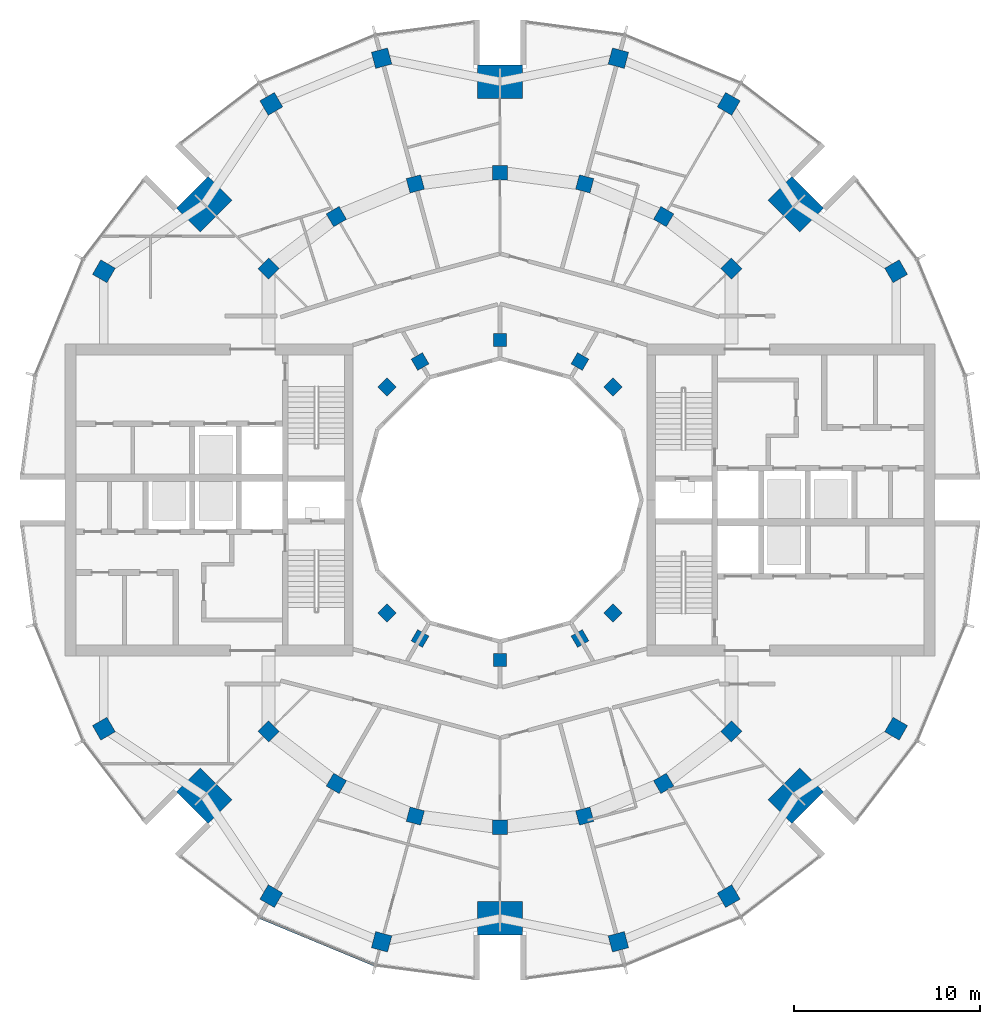
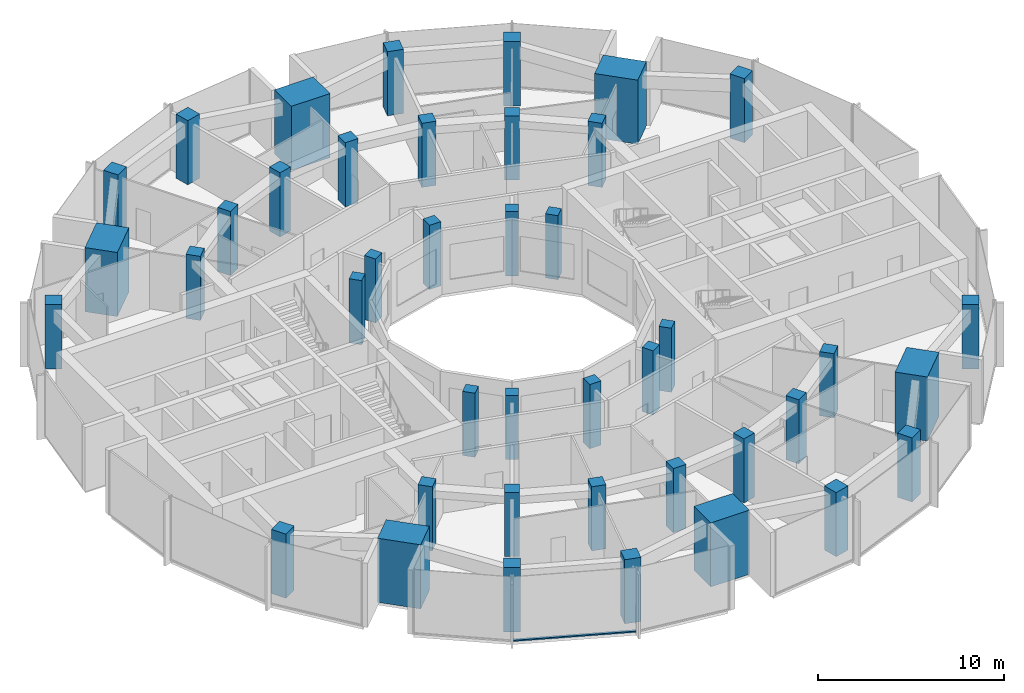
# One storey, part 1 of 15: 42 columns, 1 member, 1 element without a shape of its own.
"""IFC4 building model written with IfcOpenShell, lengths in metres."""

from ifc_helpers import new_model, si_unit, direction, frame, origin, origin_2d, place, context, subcontext, project, spatial, rectangle, extrude, material, layer, layer_set, material_profile, profile_set, type_object, element, aggregate, save


model = new_model("IFC4")

# Units and contexts
model_context = context("Model", 3, precision=1e-05, world=origin(), true_north=direction((0.0, 1.0)))
body_context = subcontext(model_context, "Body", "Model", "MODEL_VIEW")
ifc_project = project(units=[si_unit("LENGTHUNIT", "METRE"), si_unit("AREAUNIT", "SQUARE_METRE"), si_unit("VOLUMEUNIT", "CUBIC_METRE"), si_unit("PLANEANGLEUNIT", "RADIAN"), si_unit("MASSUNIT", "GRAM", prefix="KILO")], contexts=[model_context])

# Site, building, storey
site_placement = place(None, origin())
site = spatial("IfcSite", under=ifc_project, at=site_placement, CompositionType="ELEMENT")
building_placement = place(site_placement, origin())
building = spatial("IfcBuilding", under=site, at=building_placement, Name="Torre Brocal", CompositionType="ELEMENT")
storey_placement = place(building_placement, frame((0.0, 0.0, 241.5)))
storey = spatial("IfcBuildingStorey", under=building, at=storey_placement, Name="L55", CompositionType="ELEMENT", Elevation=241.5)

# Columns
ifc_material_1 = material(Name="Concrete C60", Category="concrete")
ifc_material_profile_1 = material_profile(ifc_material_1, rectangle(XDim=1.800048828125, YDim=2.39990234375, at=origin_2d()), Name="RC 1800X2400")
ifc_profile_set_1 = profile_set([ifc_material_profile_1], Name="Concrete C60")
column_type_1 = type_object("IfcColumnType", Name="RC COLUMN 1800X2400 C60", PredefinedType="COLUMN", material=ifc_profile_set_1)
for number, where, z_axis, x_axis, name in (
    (1, (95.909912109375, 90.909912109375, 0.0), (0.0, 0.0, 1.0), (0.707106781187, 0.707106781187, 0.0), "Column MC-1"),
    (2, (80.0, 97.5, 0.0), (0.0, 0.0, 1.0), (0.0, 1.0, 0.0), "Column MC-2"),
    (3, (64.090087890625, 90.909912109375, 0.0), (0.0, 0.0, 1.0), (-0.707106781187, 0.707106781187, 0.0), "Column MC-3"),
    (4, (64.090087890625, 59.090087890625, 0.0), (0.0, 0.0, 1.0), (-0.707106781187, -0.707106781187, 0.0), "Column MC-5"),
    (5, (80.0, 52.5, 0.0), (0.0, 0.0, 1.0), (0.0, -1.0, 0.0), "Column MC-6"),
    (6, (95.909912109375, 59.090087890625, 0.0), (0.0, 0.0, 1.0), (0.707106781187, -0.707106781187, 0.0), "Column MC-7"),
):
    element("IfcColumn", number, at=place(storey_placement, frame(where, z_axis=z_axis, x_axis=x_axis)), inside=storey, type_object=column_type_1, Name=name, PredefinedType="COLUMN", context=body_context, shape_type="SweptSolid", body=[
        extrude(rectangle(XDim=1.800048828125, YDim=2.39990234375, at=origin_2d()), origin(), (0.0, 0.0, 1.0), 4.199951171875),
    ])
ifc_material_2 = material(Name="Concrete C60", Category="concrete")
ifc_material_profile_2 = material_profile(ifc_material_2, rectangle(XDim=0.699951171875, YDim=0.699951171875, at=origin_2d()), Name="RC 700X700")
ifc_profile_set_2 = profile_set([ifc_material_profile_2], Name="Concrete C60")
column_type_2 = type_object("IfcColumnType", Name="RC COLUMN 700X700 C60", PredefinedType="COLUMN", material=ifc_profile_set_2)
for number, where, z_axis, x_axis, name in (
    (7, (86.0810546875, 81.0810546875, 0.0), (0.0, 0.0, 1.0), (0.707106781187, 0.707106781187, 0.0), "Column C-I03"),
    (8, (84.300048828125, 82.44775390625, 0.0), (0.0, 0.0, 1.0), (0.5, 0.866025403784, 0.0), "Column C-I04"),
    (9, (80.0, 83.60009765625, 0.0), (0.0, 0.0, 1.0), (0.0, 1.0, 0.0), "Column C-I06"),
    (10, (75.699951171875, 82.44775390625, 0.0), (0.0, 0.0, 1.0), (-0.5, 0.866025403784, 0.0), "Column C-I08"),
    (11, (73.9189453125, 81.0810546875, 0.0), (0.0, 0.0, 1.0), (-0.707106781187, 0.707106781187, 0.0), "Column C-I09"),
    (12, (73.9189453125, 68.9189453125, 0.0), (0.0, 0.0, 1.0), (-0.707106781187, -0.707106781187, 0.0), "Column C-I15"),
    (13, (75.699951171875, 67.55224609375, 0.0), (0.0, 0.0, 1.0), (-0.5, -0.866025403784, 0.0), "Column C-I16"),
    (14, (80.0, 66.39990234375, 0.0), (0.0, 0.0, 1.0), (0.0, -1.0, 0.0), "Column C-I18"),
    (15, (84.300048828125, 67.55224609375, 0.0), (0.0, 0.0, 1.0), (0.5, -0.866025403784, 0.0), "Column C-I20"),
    (16, (86.0810546875, 68.9189453125, 0.0), (0.0, 0.0, 1.0), (0.707106781187, -0.707106781187, 0.0), "Column C-I21"),
):
    element("IfcColumn", number, at=place(storey_placement, frame(where, z_axis=z_axis, x_axis=x_axis)), inside=storey, type_object=column_type_2, Name=name, PredefinedType="COLUMN", context=body_context, shape_type="SweptSolid", body=[
        extrude(rectangle(XDim=0.699951171875, YDim=0.699951171875, at=origin_2d()), origin(), (0.0, 0.0, 1.0), 4.199951171875),
    ])
ifc_material_3 = material(Name="Concrete C60", Category="concrete")
ifc_material_profile_3 = material_profile(ifc_material_3, rectangle(XDim=0.800048828125, YDim=0.800048828125, at=origin_2d()), Name="RC 800X800")
ifc_profile_set_3 = profile_set([ifc_material_profile_3], Name="Concrete C60")
column_type_3 = type_object("IfcColumnType", Name="RC COLUMN 800X800 C60", PredefinedType="COLUMN", material=ifc_profile_set_3)
for number, where, z_axis, x_axis, name in (
    (17, (92.445068359375, 87.445068359375, 0.0), (0.0, 0.0, 1.0), (0.707106781187, 0.707106781187, 0.0), "Column C-M03"),
    (18, (88.800048828125, 90.241943359375, 0.0), (0.0, 0.0, 1.0), (0.5, 0.866025403784, 0.0), "Column C-M04"),
    (19, (84.55517578125, 92.000244140625, 0.0), (0.0, 0.0, 1.0), (0.258819045103, 0.965925826289, 0.0), "Column C-M05"),
    (20, (80.0, 92.60009765625, 0.0), (0.0, 0.0, 1.0), (0.0, 1.0, 0.0), "Column C-M06"),
    (21, (75.44482421875, 92.000244140625, 0.0), (0.0, 0.0, 1.0), (-0.258819045103, 0.965925826289, 0.0), "Column C-M07"),
    (22, (71.199951171875, 90.241943359375, 0.0), (0.0, 0.0, 1.0), (-0.5, 0.866025403784, 0.0), "Column C-M08"),
    (23, (67.554931640625, 87.445068359375, 0.0), (0.0, 0.0, 1.0), (-0.707106781187, 0.707106781187, 0.0), "Column C-M09"),
    (24, (67.554931640625, 62.554931640625, 0.0), (0.0, 0.0, 1.0), (-0.707106781187, -0.707106781187, 0.0), "Column C-M15"),
    (25, (71.199951171875, 59.758056640625, 0.0), (0.0, 0.0, 1.0), (-0.5, -0.866025403784, 0.0), "Column C-M16"),
    (26, (75.44482421875, 57.999755859375, 0.0), (0.0, 0.0, 1.0), (-0.258819045103, -0.965925826289, 0.0), "Column C-M17"),
    (27, (80.0, 57.39990234375, 0.0), (0.0, 0.0, 1.0), (0.0, -1.0, 0.0), "Column C-M18"),
    (28, (84.55517578125, 57.999755859375, 0.0), (0.0, 0.0, 1.0), (0.258819045103, -0.965925826289, 0.0), "Column C-M19"),
    (29, (88.800048828125, 59.758056640625, 0.0), (0.0, 0.0, 1.0), (0.5, -0.866025403784, 0.0), "Column C-M20"),
    (30, (92.445068359375, 62.554931640625, 0.0), (0.0, 0.0, 1.0), (0.707106781187, -0.707106781187, 0.0), "Column C-M21"),
):
    element("IfcColumn", number, at=place(storey_placement, frame(where, z_axis=z_axis, x_axis=x_axis)), inside=storey, type_object=column_type_3, Name=name, PredefinedType="COLUMN", context=body_context, shape_type="SweptSolid", body=[
        extrude(rectangle(XDim=0.800048828125, YDim=0.800048828125, at=origin_2d()), origin(), (0.0, 0.0, 1.0), 4.199951171875),
    ])
ifc_material_4 = material(Name="Concrete C60", Category="concrete")
ifc_material_profile_4 = material_profile(ifc_material_4, rectangle(XDim=0.89990234375, YDim=0.89990234375, at=origin_2d()), Name="RC 900X900")
ifc_profile_set_4 = profile_set([ifc_material_profile_4], Name="Concrete C60")
column_type_4 = type_object("IfcColumnType", Name="RC COLUMN 900X900 C60", PredefinedType="COLUMN", material=ifc_profile_set_4)
for number, where, z_axis, x_axis, name in (
    (31, (101.30419921875, 87.300048828125, 0.0), (0.0, 0.0, 1.0), (0.866025403784, 0.5, 0.0), "Column C-O02"),
    (32, (92.300048828125, 96.30419921875, 0.0), (0.0, 0.0, 1.0), (0.5, 0.866025403784, 0.0), "Column C-O04"),
    (33, (86.366943359375, 98.76171875, 0.0), (0.0, 0.0, 1.0), (0.258819045103, 0.965925826289, 0.0), "Column C-O05"),
    (34, (73.633056640625, 98.76171875, 0.0), (0.0, 0.0, 1.0), (-0.258819045103, 0.965925826289, 0.0), "Column C-O07"),
    (35, (67.699951171875, 96.30419921875, 0.0), (0.0, 0.0, 1.0), (-0.5, 0.866025403784, 0.0), "Column C-O08"),
    (36, (58.69580078125, 87.300048828125, 0.0), (0.0, 0.0, 1.0), (-0.866025403784, 0.5, 0.0), "Column C-O10"),
    (37, (58.69580078125, 62.699951171875, 0.0), (0.0, 0.0, 1.0), (-0.866025403784, -0.5, 0.0), "Column C-O14"),
    (38, (67.699951171875, 53.69580078125, 0.0), (0.0, 0.0, 1.0), (-0.5, -0.866025403784, 0.0), "Column C-O16"),
    (39, (73.633056640625, 51.23828125, 0.0), (0.0, 0.0, 1.0), (-0.258819045103, -0.965925826289, 0.0), "Column C-O17"),
    (40, (86.366943359375, 51.23828125, 0.0), (0.0, 0.0, 1.0), (0.258819045103, -0.965925826289, 0.0), "Column C-O19"),
    (41, (92.300048828125, 53.69580078125, 0.0), (0.0, 0.0, 1.0), (0.5, -0.866025403784, 0.0), "Column C-O20"),
    (42, (101.30419921875, 62.699951171875, 0.0), (0.0, 0.0, 1.0), (0.866025403784, -0.5, 0.0), "Column C-O22"),
):
    element("IfcColumn", number, at=place(storey_placement, frame(where, z_axis=z_axis, x_axis=x_axis)), inside=storey, type_object=column_type_4, Name=name, PredefinedType="COLUMN", context=body_context, shape_type="SweptSolid", body=[
        extrude(rectangle(XDim=0.89990234375, YDim=0.89990234375, at=origin_2d()), origin(), (0.0, 0.0, 1.0), 4.199951171875),
    ])

# Curtain wall, member
ifc_material_5 = material(Name="Aluminium and glass", Category="aluminium")
ifc_layer = layer(ifc_material_5, 0.199951171875)
ifc_layer_set = layer_set([ifc_layer], Name="Aluminium and glass")
curtain_wall_type = type_object("IfcCurtainWallType", Name="CW-1 CURTAIN WALL 4200 HIGH", PredefinedType="NOTDEFINED", material=ifc_layer_set)
curtain_wall_placement = place(storey_placement, origin())
curtain_wall = element("IfcCurtainWall", 43, at=curtain_wall_placement, inside=storey, type_object=curtain_wall_type, Name="CW-1 RUN 17", PredefinedType="NOTDEFINED")
ifc_material_6 = material(Name="Aluminium, dark anodised", Category="aluminium")
ifc_material_profile_5 = material_profile(ifc_material_6, rectangle(XDim=0.159912109375, YDim=0.080078125, at=origin_2d()), Name="CW-1 TRANSOM 160X80")
ifc_profile_set_5 = profile_set([ifc_material_profile_5], Name="Aluminium, dark anodised")
member_type = type_object("IfcMemberType", Name="CW-1 TRANSOM 160X80", PredefinedType="USERDEFINED", material=ifc_profile_set_5)
member_placement = place(storey_placement, frame((67.10595703125, 52.547607421875, 0.0400390625), z_axis=(0.923887344364, -0.38266457234, 0.0), x_axis=(0.38266457234, 0.923887344364, 0.0)))
member = element("IfcMember", 44, at=member_placement, type_object=member_type, Name="CW1-5 transom 1.1", ObjectType="TRANSOM", PredefinedType="USERDEFINED", context=body_context, shape_type="SweptSolid", body=[
    extrude(rectangle(XDim=0.159912109375, YDim=0.080078125, at=origin_2d()), origin(), (0.0, 0.0, 1.0), 6.640869140625),
])
aggregate(curtain_wall, [member])

save(model, "model.ifc")
